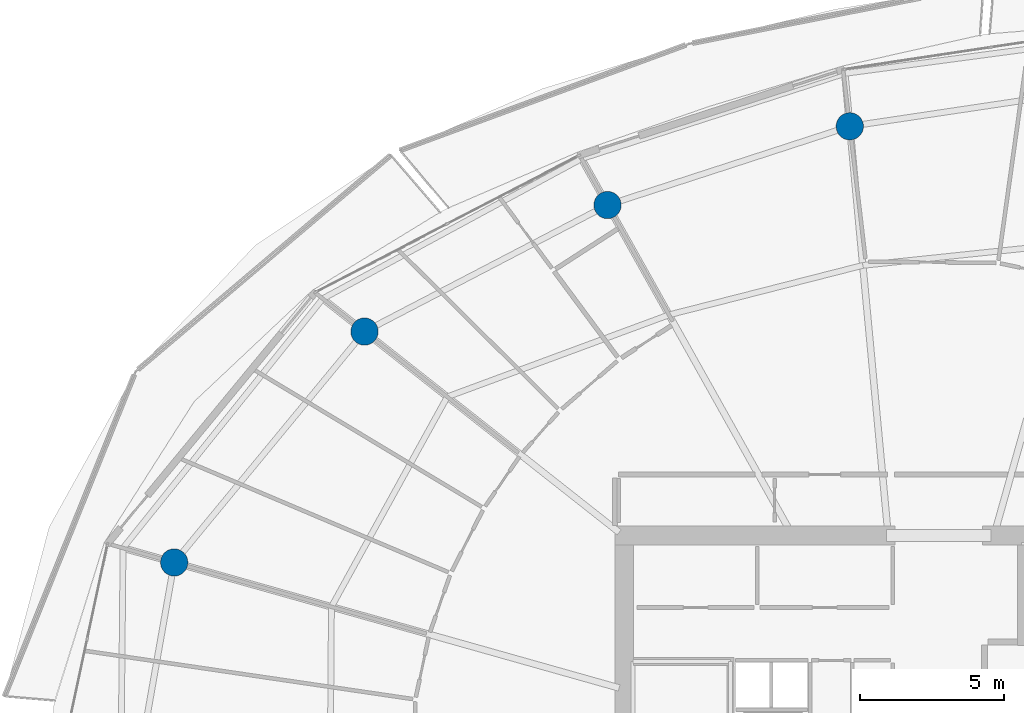
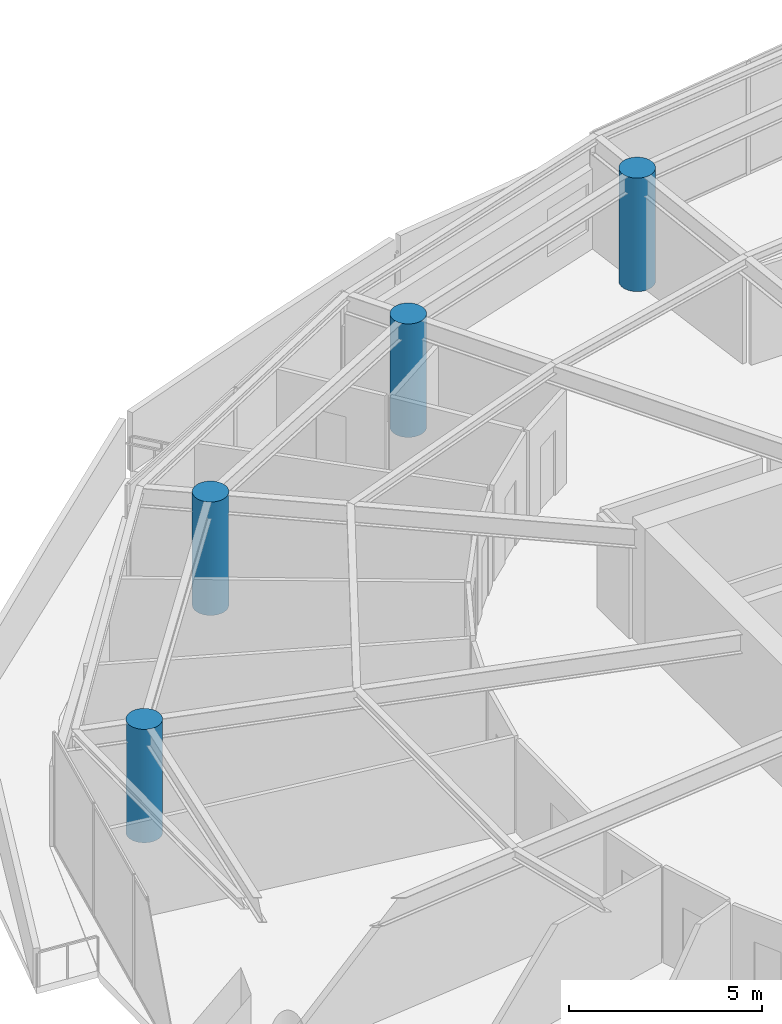
# One storey, part 4 of 31: 4 columns.
"""IFC4 building model written with IfcOpenShell, lengths in metres."""

from ifc_helpers import new_model, si_unit, direction, frame, origin, origin_2d, place, context, subcontext, project, spatial, circle, extrude, material, material_profile, profile_set, type_object, element, save


model = new_model("IFC4")

# Units and contexts
model_context = context("Model", 3, precision=1e-05, world=origin(), true_north=direction((0.0, 1.0)))
body_context = subcontext(model_context, "Body", "Model", "MODEL_VIEW")
ifc_project = project(units=[si_unit("LENGTHUNIT", "METRE"), si_unit("AREAUNIT", "SQUARE_METRE"), si_unit("VOLUMEUNIT", "CUBIC_METRE"), si_unit("PLANEANGLEUNIT", "RADIAN"), si_unit("MASSUNIT", "GRAM", prefix="KILO")], contexts=[model_context])

# Site, building, storey
site_placement = place(None, origin())
site = spatial("IfcSite", under=ifc_project, at=site_placement, CompositionType="ELEMENT")
building_placement = place(site_placement, origin())
building = spatial("IfcBuilding", under=site, at=building_placement, Name="Kazma Halo Residences", CompositionType="ELEMENT")
storey_placement = place(building_placement, frame((0.0, 0.0, 240.550048828125)))
storey = spatial("IfcBuildingStorey", under=building, at=storey_placement, Name="L60", CompositionType="ELEMENT", Elevation=240.550048828125)

# Columns
ifc_material = material(Name="Concrete C60/75", Category="concrete")
ifc_material_profile = material_profile(ifc_material, circle(Radius=0.47509765625, at=origin_2d()), Name="CIRC950")
ifc_profile_set = profile_set([ifc_material_profile], Name="Concrete C60/75")
column_type = type_object("IfcColumnType", Name="COL-PERIM-950", PredefinedType="COLUMN", material=ifc_profile_set)
for number, where, z_axis, x_axis, name in (
    (1, (45.32861328125, 64.57080078125, 0.0), (0.0, 0.0, 1.0), (1.0, 0.0, 0.0), "L60 perimeter ring column P04"),
    (2, (36.89453125, 61.830322265625, 0.0), (0.0, 0.0, 1.0), (1.0, 0.0, 0.0), "L60 perimeter ring column P05"),
    (3, (28.433837890625, 57.4248046875, 0.0), (0.0, 0.0, 1.0), (1.0, 0.0, 0.0), "L60 perimeter ring column P06"),
    (4, (21.80908203125, 49.38671875, 0.0), (0.0, 0.0, 1.0), (1.0, 0.0, 0.0), "L60 perimeter ring column P07"),
):
    element("IfcColumn", number, at=place(storey_placement, frame(where, z_axis=z_axis, x_axis=x_axis)), inside=storey, type_object=column_type, Name=name, PredefinedType="COLUMN", context=body_context, shape_type="SweptSolid", body=[
        extrude(circle(Radius=0.47509765625, at=origin_2d()), origin(), (0.0, 0.0, 1.0), 3.58984375),
    ])

save(model, "model.ifc")
